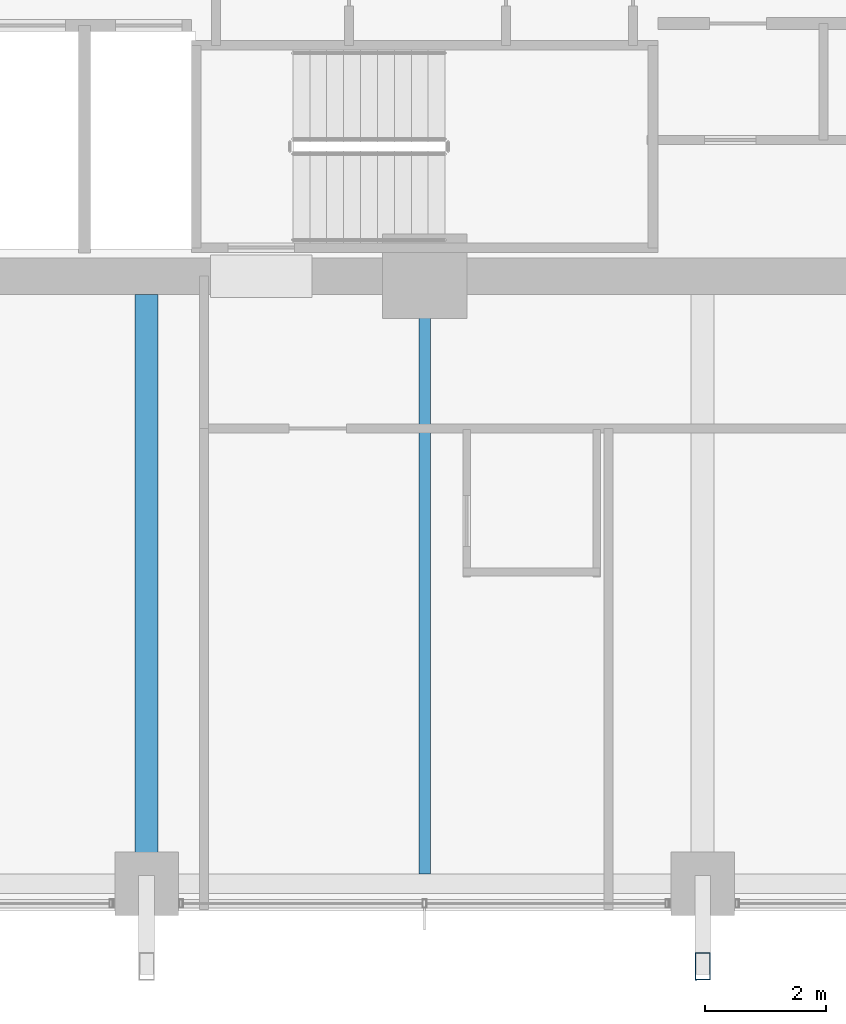
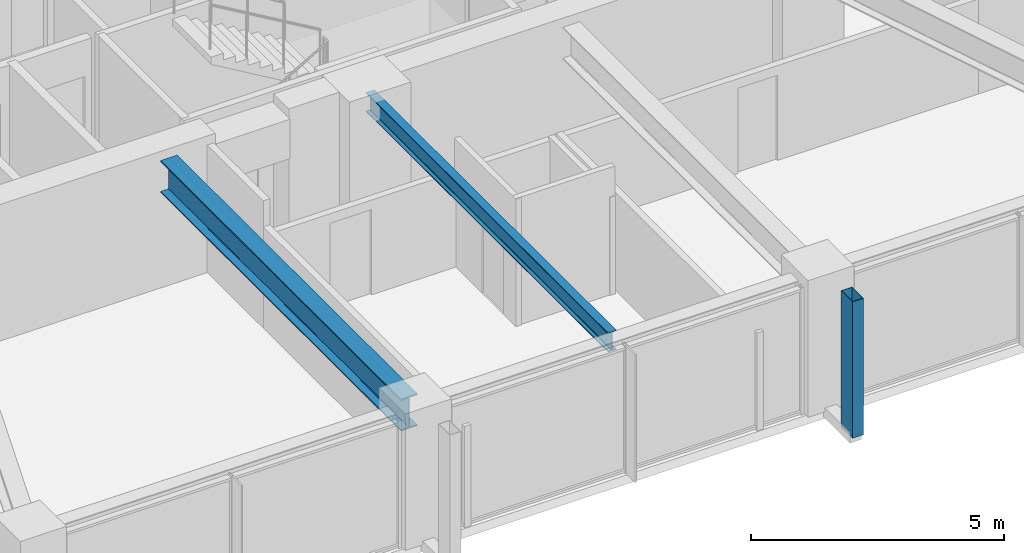
# One storey, part 5 of 37: 2 beams, 1 member.
"""IFC4 building model written with IfcOpenShell, lengths in metres."""

from ifc_helpers import new_model, si_unit, direction, frame, origin, origin_2d, place, context, subcontext, project, spatial, hollow_rectangle, i_section, extrude, material, material_profile, profile_set, type_object, element, save


model = new_model("IFC4")

# Units and contexts
model_context = context("Model", 3, precision=1e-05, world=origin(), true_north=direction((0.0, 1.0)))
body_context = subcontext(model_context, "Body", "Model", "MODEL_VIEW")
ifc_project = project(units=[si_unit("LENGTHUNIT", "METRE"), si_unit("AREAUNIT", "SQUARE_METRE"), si_unit("VOLUMEUNIT", "CUBIC_METRE"), si_unit("PLANEANGLEUNIT", "RADIAN"), si_unit("MASSUNIT", "GRAM", prefix="KILO")], contexts=[model_context])

# Site, building, storey
site_placement = place(None, origin())
site = spatial("IfcSite", under=ifc_project, at=site_placement, CompositionType="ELEMENT")
building_placement = place(site_placement, origin())
building = spatial("IfcBuilding", under=site, at=building_placement, Name="Kolvaren Belvedere", CompositionType="ELEMENT")
storey_placement = place(building_placement, frame((0.0, 0.0, 82.10009765625)))
storey = spatial("IfcBuildingStorey", under=building, at=storey_placement, Name="L23", CompositionType="ELEMENT", Elevation=82.10009765625)

# Beams
ifc_material_1 = material(Name="Structural steel ASTM A992 Grade 50", Category="steel")
ifc_material_profile_1 = material_profile(ifc_material_1, i_section(OverallWidth=0.381103515625, OverallDepth=0.77294921875, WebThickness=0.0166015625, FlangeThickness=0.027099609375, FilletRadius=0.02392578125, at=origin_2d()), Name="W30X173")
ifc_profile_set_1 = profile_set([ifc_material_profile_1], Name="Structural steel ASTM A992 Grade 50")
beam_type_1 = type_object("IfcBeamType", Name="BM-GIRD-W30X173", PredefinedType="BEAM", material=ifc_profile_set_1)
beam_1_placement = place(storey_placement, frame((-4.60009765625, -10.199951171875, 2.693359375), z_axis=(0.0, -1.0, 0.0), x_axis=(1.0, 0.0, 0.0)))
element("IfcBeam", 1, at=beam_1_placement, inside=storey, type_object=beam_type_1, Name="L23 South Radial Girder M", PredefinedType="BEAM", context=body_context, shape_type="SweptSolid", body=[
    extrude(i_section(OverallWidth=0.381103515625, OverallDepth=0.77294921875, WebThickness=0.0166015625, FlangeThickness=0.027099609375, FilletRadius=0.02392578125, at=origin_2d()), origin(), (0.0, 0.0, 1.0), 9.513916015625),
])
ifc_material_2 = material(Name="Structural steel ASTM A992 Grade 50", Category="steel")
ifc_material_profile_2 = material_profile(ifc_material_2, i_section(OverallWidth=0.19091796875, OverallDepth=0.4599609375, WebThickness=0.010009765625, FlangeThickness=0.01611328125, FilletRadius=0.014892578125, at=origin_2d()), Name="W18X55")
ifc_profile_set_2 = profile_set([ifc_material_profile_2], Name="Structural steel ASTM A992 Grade 50")
beam_type_2 = type_object("IfcBeamType", Name="BM-JOIST-W18X55", PredefinedType="BEAM", material=ifc_profile_set_2)
beam_2_placement = place(storey_placement, frame((0.0, -10.199951171875, 2.849853515625), z_axis=(0.0, -1.0, 0.0), x_axis=(1.0, 0.0, 0.0)))
element("IfcBeam", 2, at=beam_2_placement, inside=storey, type_object=beam_type_2, Name="L23 South Centre Floor Beam", PredefinedType="BEAM", context=body_context, shape_type="SweptSolid", body=[
    extrude(i_section(OverallWidth=0.19091796875, OverallDepth=0.4599609375, WebThickness=0.010009765625, FlangeThickness=0.01611328125, FilletRadius=0.014892578125, at=origin_2d()), origin(), (0.0, 0.0, 1.0), 9.587646484375),
])

# Member
ifc_material_3 = material(Name="Anodised pale-metal aluminium AA 6063-T6", Category="aluminium")
ifc_material_profile_3 = material_profile(ifc_material_3, hollow_rectangle(XDim=0.25, YDim=0.449951171875, WallThickness=0.008544921875, at=origin_2d()), Name="ALU-PF-450X250")
ifc_profile_set_3 = profile_set([ifc_material_profile_3], Name="Anodised pale-metal aluminium AA 6063-T6")
member_type = type_object("IfcMemberType", Name="PF-FRAME-450", PredefinedType="USERDEFINED", material=ifc_profile_set_3)
member_placement = place(storey_placement, frame((4.60009765625, -21.320068359375, 0.0), z_axis=(0.0, 0.0, 1.0), x_axis=(1.0, 0.0, 0.0)))
element("IfcMember", 3, at=member_placement, inside=storey, type_object=member_type, Name="L23 Outboard Picture-Frame Vertical S1", ObjectType="PICTURE FRAME FIN", PredefinedType="USERDEFINED", context=body_context, shape_type="SweptSolid", body=[
    extrude(hollow_rectangle(XDim=0.25, YDim=0.449951171875, WallThickness=0.008544921875, at=origin_2d()), origin(), (0.0, 0.0, 1.0), 3.2998046875),
])

save(model, "model.ifc")
